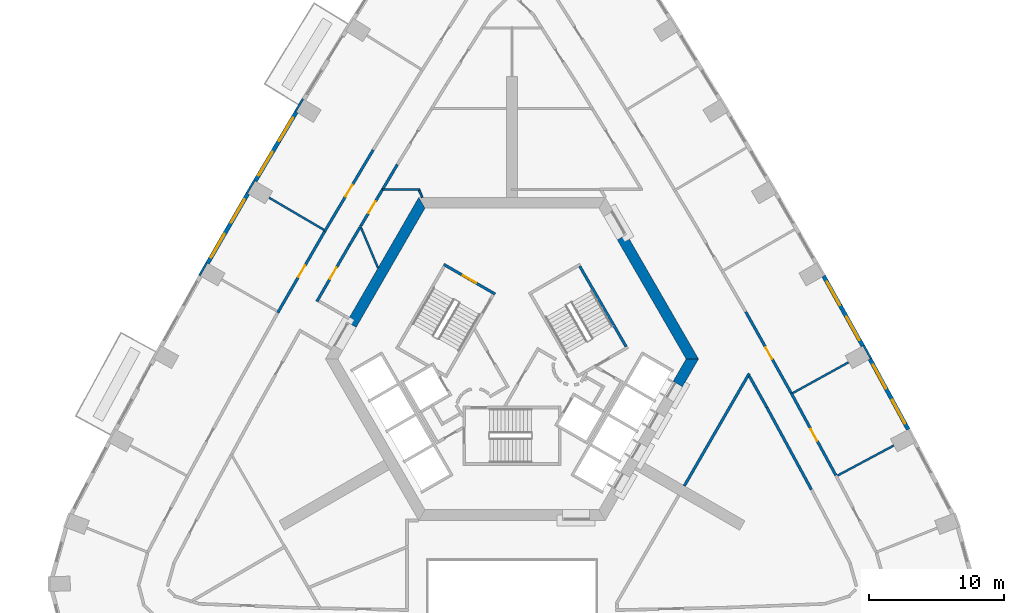
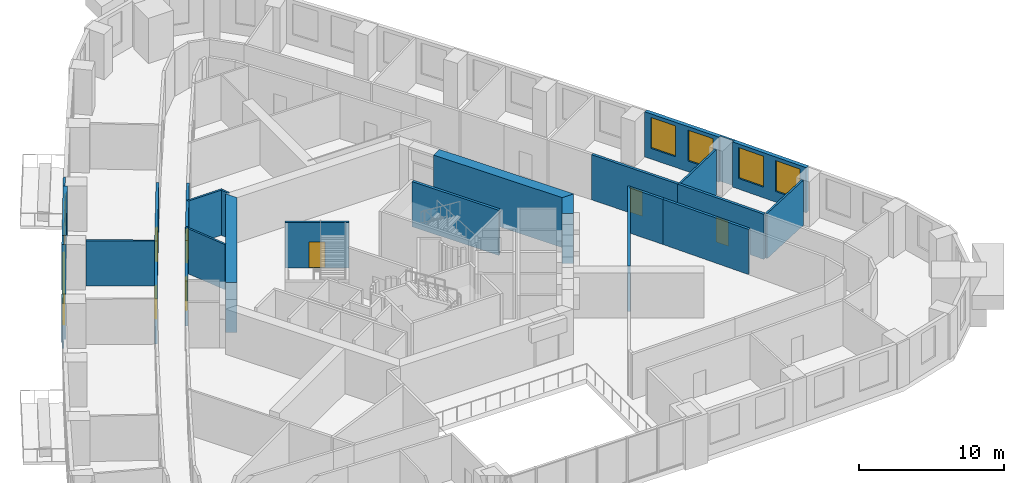
# One storey, part 8 of 14: 30 walls, 8 windows, 7 doors, 15 openings.
"""IFC4 building model written with IfcOpenShell, lengths in metres."""

import ifcopenshell
import ifcopenshell.guid

model = None  # the IFC model being written
_history = None  # IfcOwnerHistory: only IFC2X3 demands one
_inside = {}  # id of a spatial element -> (the spatial element, [elements in it])
_under = {}  # id of a project, library or spatial element -> (it, [spatial elements below it])
_declared = {}  # id of a project -> (the project, [libraries it declares])
_typed = {}  # id of a type object -> (the type object, [elements of that type])
_made_of = {}  # id of a material, layer set ... -> (it, [elements and type objects made of it])


def new_model(schema):
    """Start an empty IFC model of exactly this schema.

    Asked for "IFC4X3", IfcOpenShell would pick the latest addendum, in which some entities
    have other attributes; the version numbers below select the first issue.
    IFC2X3 requires an IfcOwnerHistory on every rooted entity: one is made here for all.
    """
    global model, _history
    if schema == "IFC4X3":
        model = ifcopenshell.file(schema_version=(4, 3, 0, 0))
    else:
        model = ifcopenshell.file(schema=schema)
    _inside.clear()
    _under.clear()
    _declared.clear()
    _typed.clear()
    _made_of.clear()
    _history = None
    if model.schema == "IFC2X3":
        org = make("IfcOrganization", Name="unknown")
        user = make(
            "IfcPersonAndOrganization",
            ThePerson=make("IfcPerson", FamilyName="unknown"),
            TheOrganization=org,
        )
        app = make(
            "IfcApplication",
            ApplicationDeveloper=org,
            Version="unknown",
            ApplicationFullName="unknown",
            ApplicationIdentifier="unknown",
        )
        _history = make(
            "IfcOwnerHistory",
            OwningUser=user,
            OwningApplication=app,
            ChangeAction="ADDED",
            CreationDate=0,
        )
    return model


def make(cls, **values):
    """One entity of the class cls with the attributes given. An attribute that is None is left unset."""
    return model.create_entity(
        cls, **{name: value for name, value in values.items() if value is not None}
    )


def rooted(cls, **values):
    """An entity with a GlobalId (a new one), such as an element, a storey or a relation."""
    return make(cls, GlobalId=ifcopenshell.guid.new(), OwnerHistory=_history, **values)


def si_unit(unit_type, name, prefix=None):
    """IfcSIUnit, for example si_unit("LENGTHUNIT", "METRE", prefix="MILLI")."""
    return make("IfcSIUnit", UnitType=unit_type, Prefix=prefix, Name=name)


def assignment(units):
    """IfcUnitAssignment: the units of a project."""
    return None if units is None else make("IfcUnitAssignment", Units=units)


def point(xyz):
    """IfcCartesianPoint."""
    return None if xyz is None else make("IfcCartesianPoint", Coordinates=xyz)


def direction(xyz):
    """IfcDirection."""
    return None if xyz is None else make("IfcDirection", DirectionRatios=xyz)


def frame(location, z_axis=None, x_axis=None):
    """IfcAxis2Placement3D, a coordinate frame: its origin and axes. An axis left out is left unset."""
    return make(
        "IfcAxis2Placement3D",
        Location=point(location),
        Axis=direction(z_axis),
        RefDirection=direction(x_axis),
    )


def frame_2d(location, x_axis=None):
    """IfcAxis2Placement2D, a coordinate frame in the plane: its origin and x axis."""
    return make(
        "IfcAxis2Placement2D", Location=point(location), RefDirection=direction(x_axis)
    )


def origin():
    """The frame at (0, 0, 0) with its axes left unset."""
    return frame((0.0, 0.0, 0.0))


def place(relative_to, where):
    """IfcLocalPlacement: puts the frame where relative to a parent placement (None: the world)."""
    return make(
        "IfcLocalPlacement", PlacementRelTo=relative_to, RelativePlacement=where
    )


def context(
    kind, dimensions, precision=None, world=None, true_north=None, identifier=None
):
    """IfcGeometricRepresentationContext, for example the 3D "Model" context."""
    return make(
        "IfcGeometricRepresentationContext",
        ContextIdentifier=identifier,
        ContextType=kind,
        CoordinateSpaceDimension=dimensions,
        Precision=precision,
        WorldCoordinateSystem=world,
        TrueNorth=true_north,
    )


def subcontext(parent, identifier, kind, view, scale=None):
    """IfcGeometricRepresentationSubContext, for example "Body" below "Model"."""
    return make(
        "IfcGeometricRepresentationSubContext",
        ContextIdentifier=identifier,
        ContextType=kind,
        ParentContext=parent,
        TargetScale=scale,
        TargetView=view,
    )


def project(units=None, contexts=None):
    """IfcProject with its units and contexts."""
    return rooted(
        "IfcProject",
        Name="project",
        RepresentationContexts=contexts,
        UnitsInContext=assignment(units),
    )


def spatial(cls, under=None, at=None, **own):
    """A site, building, storey or space (cls), placed at a placement, below another one or the project."""
    s = rooted(cls, ObjectPlacement=at, **own)
    if under is not None:
        _under.setdefault(under.id(), (under, []))[1].append(s)
    return s


def polyline(points):
    """IfcPolyline through the points."""
    return make("IfcPolyline", Points=[point(p) for p in points])


def profile(cls, at=None, kind="AREA", **sizes):
    """A parametric profile (cls). Its sizes go by their IFC names, for example OverallWidth=200.0."""
    return make(cls, ProfileType=kind, Position=at, **sizes)


def rectangle(**sizes):
    """IfcRectangleProfileDef."""
    return profile("IfcRectangleProfileDef", **sizes)


def outline(outer, holes=None, kind="AREA"):
    """IfcArbitraryClosedProfileDef: a profile drawn as a closed curve; with holes, ...WithVoids."""
    if holes is None:
        return make("IfcArbitraryClosedProfileDef", ProfileType=kind, OuterCurve=outer)
    return make(
        "IfcArbitraryProfileDefWithVoids",
        ProfileType=kind,
        OuterCurve=outer,
        InnerCurves=holes,
    )


def extrude(swept, where, along, depth):
    """IfcExtrudedAreaSolid: the profile swept, set in the frame where, extruded along a direction by depth."""
    return make(
        "IfcExtrudedAreaSolid",
        SweptArea=swept,
        Position=where,
        ExtrudedDirection=direction(along),
        Depth=depth,
    )


def shape(context_of_items, identifier, shape_type, items):
    """IfcShapeRepresentation: the items that make up one representation, for example the "Body"."""
    return make(
        "IfcShapeRepresentation",
        ContextOfItems=context_of_items,
        RepresentationIdentifier=identifier,
        RepresentationType=shape_type,
        Items=items,
    )


def material(Name=None, Category=None):
    """IfcMaterial."""
    return make("IfcMaterial", Name=Name, Category=Category)


def layer(
    of_material, thickness, ventilated=None, Name=None, Category=None, Priority=None
):
    """IfcMaterialLayer: one layer of a wall or slab, of a material (None: an air gap)."""
    return make(
        "IfcMaterialLayer",
        Material=of_material,
        LayerThickness=thickness,
        IsVentilated=ventilated,
        Name=Name,
        Category=Category,
        Priority=Priority,
    )


def layer_set(layers, Name=None):
    """IfcMaterialLayerSet."""
    return make("IfcMaterialLayerSet", MaterialLayers=layers, LayerSetName=Name)


def made_of(thing, what):
    """Note that an element or type object is made of a material, layer set ...; save() writes the relation."""
    if what is not None:
        _made_of.setdefault(what.id(), (what, []))[1].append(thing)
    return thing


def type_object(cls, material=None, **own):
    """A type object (cls), such as IfcWallType, which elements share."""
    return made_of(rooted(cls, **own), material)


def element(
    cls,
    number,
    at=None,
    inside=None,
    cuts=None,
    type_object=None,
    material=None,
    context=None,
    identifier="Body",
    shape_type=None,
    held_by="IfcProductDefinitionShape",
    body=None,
    shapes=None,
    **own,
):
    """One element of the class cls, such as IfcWall. Its Tag is "e" and its number.

    at: its placement. inside: the storey or other place that contains it. cuts: it is an
    opening in that element (IfcRelVoidsElement). A single representation is given by context,
    identifier, shape_type and body (its items); several are given by shapes. held_by: the class
    of the entity that holds the representations. save() writes the other relations.
    """
    e = rooted(cls, Tag="e%d" % number, ObjectPlacement=at, **own)
    if body is not None:
        shapes = [shape(context, identifier, shape_type, body)]
    if shapes is not None:
        e.Representation = make(held_by, Representations=shapes)
    if inside is not None:
        _inside.setdefault(inside.id(), (inside, []))[1].append(e)
    if cuts is not None:
        rooted(
            "IfcRelVoidsElement", RelatingBuildingElement=cuts, RelatedOpeningElement=e
        )
    if type_object is not None:
        _typed.setdefault(type_object.id(), (type_object, []))[1].append(e)
    return made_of(e, material)


def fill(opening, filler):
    """IfcRelFillsElement: the door or window that sits in an opening."""
    return rooted(
        "IfcRelFillsElement",
        RelatingOpeningElement=opening,
        RelatedBuildingElement=filler,
    )


def aggregate(whole, parts):
    """IfcRelAggregates: a whole, such as a stair, and the parts it consists of."""
    return rooted("IfcRelAggregates", RelatingObject=whole, RelatedObjects=parts)


def save(model, path):
    """Write the relations noted so far, then the file.

    IfcRelAggregates (storeys below a building ...), IfcRelContainedInSpatialStructure (elements
    in a storey), IfcRelDefinesByType, IfcRelAssociatesMaterial and IfcRelDeclares: one each for
    every whole, place, type object, material and project.
    """
    for whole, parts in _under.values():
        aggregate(whole, parts)
    for where, things in _inside.values():
        rooted(
            "IfcRelContainedInSpatialStructure",
            RelatedElements=things,
            RelatingStructure=where,
        )
    for kind, things in _typed.values():
        rooted("IfcRelDefinesByType", RelatedObjects=things, RelatingType=kind)
    for what, things in _made_of.values():
        rooted("IfcRelAssociatesMaterial", RelatedObjects=things, RelatingMaterial=what)
    for by, libraries in _declared.values():
        rooted("IfcRelDeclares", RelatingContext=by, RelatedDefinitions=libraries)
    model.write(path)


model = new_model("IFC4")

# Units and contexts
model_context = context("Model", 3, precision=1e-05, world=origin(), true_north=direction((0.0, 1.0)))
body_context = subcontext(model_context, "Body", "Model", "MODEL_VIEW")
ifc_project = project(units=[si_unit("LENGTHUNIT", "METRE"), si_unit("AREAUNIT", "SQUARE_METRE"), si_unit("VOLUMEUNIT", "CUBIC_METRE"), si_unit("PLANEANGLEUNIT", "RADIAN"), si_unit("MASSUNIT", "GRAM", prefix="KILO")], contexts=[model_context])

# Site, building, storey
site_placement = place(None, origin())
site = spatial("IfcSite", under=ifc_project, at=site_placement, CompositionType="ELEMENT")
building_placement = place(site_placement, origin())
building = spatial("IfcBuilding", under=site, at=building_placement, Name="Entoto Arch Interchange Tower", CompositionType="ELEMENT")
storey_placement = place(building_placement, frame((0.0, 0.0, 159.199951171875)))
storey = spatial("IfcBuildingStorey", under=building, at=storey_placement, Name="L35", CompositionType="ELEMENT", Elevation=159.199951171875)

# Walls
ifc_material_1 = material(Name="Concrete C50/60", Category="concrete")
ifc_layer_1 = layer(ifc_material_1, 0.800048828125)
ifc_layer_set_1 = layer_set([ifc_layer_1], Name="Concrete C50/60")
wall_type_1 = type_object("IfcWallType", Name="Core wall 800 C50/60", PredefinedType="SHEAR", material=ifc_layer_set_1)
wall_1_placement = place(storey_placement, frame((0.0, 0.0, -0.39990234375)))
element("IfcWall", 1, at=wall_1_placement, inside=storey, type_object=wall_type_1, Name="Core wall NE L35", PredefinedType="SHEAR", context=body_context, shape_type="SweptSolid", body=[
    extrude(outline(polyline([(8.51708984375, 11.748046875), (7.823974609375, 11.347900390625), (12.93310546875, 2.5), (13.85595703125, 2.5), (8.51708984375, 11.748046875)])), origin(), (0.0, 0.0, 1.0), 4.199951171875),
])
wall_2_placement = place(storey_placement, frame((0.0, 0.0, -0.39990234375)))
element("IfcWall", 2, at=wall_2_placement, inside=storey, type_object=wall_type_1, Name="Core wall NW L35", PredefinedType="SHEAR", context=body_context, shape_type="SweptSolid", body=[
    extrude(outline(polyline([(-12.26708984375, 5.251953125), (-11.574951171875, 4.85205078125), (-6.466064453125, 13.699951171875), (-6.927978515625, 14.5), (-12.26708984375, 5.251953125)])), origin(), (0.0, 0.0, 1.0), 4.199951171875),
])
wall_3_placement = place(storey_placement, frame((0.0, 0.0, -0.39990234375)))
element("IfcWall", 3, at=wall_3_placement, inside=storey, type_object=wall_type_1, Name="Core wall SE L35", PredefinedType="SHEAR", context=body_context, shape_type="SweptSolid", body=[
    extrude(outline(polyline([(11.97412109375, 0.840087890625), (12.6669921875, 0.43994140625), (13.85595703125, 2.5), (12.93310546875, 2.5), (11.97412109375, 0.840087890625)])), origin(), (0.0, 0.0, 1.0), 4.199951171875),
])
ifc_material_2 = material(Name="Gypsum board partition on steel studs", Category="steel")
ifc_layer_2 = layer(ifc_material_2, 0.14990234375)
ifc_layer_set_2 = layer_set([ifc_layer_2], Name="Gypsum board partition on steel studs")
wall_type_2 = type_object("IfcWallType", Name="PARTITION 150", PredefinedType="PARTITIONING", material=ifc_layer_set_2)
wall_4_placement = place(storey_placement, frame((-9.951904296875, 9.261962890625, 0.0), z_axis=(0.0, 0.0, 1.0), x_axis=(-0.38905491579, 0.921214563769, 0.0)))
element("IfcWall", 4, at=wall_4_placement, inside=storey, type_object=wall_type_2, Name="wall:L35:p085", PredefinedType="PARTITIONING", context=body_context, shape_type="SweptSolid", body=[
    extrude(rectangle(XDim=3.444580078125, YDim=0.14990234375, at=frame_2d((1.72216796875, 0.0))), origin(), (0.0, 0.0, 1.0), 3.800048828125),
])
wall_5_placement = place(storey_placement, frame((-6.845947265625, 15.10009765625, 0.0), z_axis=(0.0, 0.0, 1.0), x_axis=(-1.0, 0.0, 0.0)))
element("IfcWall", 5, at=wall_5_placement, inside=storey, type_object=wall_type_2, Name="wall:L35:p086", PredefinedType="PARTITIONING", context=body_context, shape_type="SweptSolid", body=[
    extrude(rectangle(XDim=2.76611328125, YDim=0.14990234375, at=frame_2d((1.383056640625, 0.0))), origin(), (0.0, 0.0, 1.0), 3.800048828125),
])
wall_6_placement = place(storey_placement, frame((-6.66796875, 14.5, 0.0), z_axis=(0.0, 0.0, 1.0), x_axis=(-0.388852201086, 0.921300149631, 0.0)))
element("IfcWall", 6, at=wall_6_placement, inside=storey, type_object=wall_type_2, Name="wall:L35:p087", PredefinedType="PARTITIONING", context=body_context, shape_type="SweptSolid", body=[
    extrude(rectangle(XDim=0.576416015625, YDim=0.14990234375, at=frame_2d((0.2880859375, 0.0))), origin(), (0.0, 0.0, 1.0), 3.800048828125),
])
wall_7_placement = place(storey_placement, frame((24.181884765625, -6.162109375, 0.0), z_axis=(0.0, 0.0, 1.0), x_axis=(0.88214427755, 0.470979270866, 0.0)))
element("IfcWall", 7, at=wall_7_placement, inside=storey, type_object=wall_type_2, Name="wall:L35:p126", PredefinedType="PARTITIONING", context=body_context, shape_type="SweptSolid", body=[
    extrude(rectangle(XDim=4.730712890625, YDim=0.14990234375, at=frame_2d((2.365234375, 0.0))), origin(), (0.0, 0.0, 1.0), 3.800048828125),
])
wall_8_placement = place(storey_placement, frame((20.85693359375, -0.032958984375, 0.0), z_axis=(0.0, 0.0, 1.0), x_axis=(0.875786153174, 0.482699299677, 0.0)))
element("IfcWall", 8, at=wall_8_placement, inside=storey, type_object=wall_type_2, Name="wall:L35:p127", PredefinedType="PARTITIONING", context=body_context, shape_type="SweptSolid", body=[
    extrude(rectangle(XDim=4.7294921875, YDim=0.14990234375, at=frame_2d((2.36474609375, 0.0))), origin(), (0.0, 0.0, 1.0), 3.800048828125),
])
wall_9_placement = place(storey_placement, frame((-13.965087890625, 12.087890625, 0.0), z_axis=(0.0, 0.0, 1.0), x_axis=(-0.862617990649, 0.50585591052, 0.0)))
element("IfcWall", 9, at=wall_9_placement, inside=storey, type_object=wall_type_2, Name="wall:L35:p133", PredefinedType="PARTITIONING", context=body_context, shape_type="SweptSolid", body=[
    extrude(rectangle(XDim=4.730712890625, YDim=0.14990234375, at=frame_2d((2.365234375, 0.0))), origin(), (0.0, 0.0, 1.0), 3.800048828125),
])

# Wall, opening, door
ifc_layer_3 = layer(ifc_material_2, 0.199951171875)
ifc_layer_set_3 = layer_set([ifc_layer_3], Name="Gypsum board partition on steel studs")
wall_type_3 = type_object("IfcWallType", Name="PARTITION 200", PredefinedType="PARTITIONING", material=ifc_layer_set_3)
wall_10_placement = place(storey_placement, frame((-9.573974609375, 15.1640625, 0.0), z_axis=(0.0, 0.0, 1.0), x_axis=(-0.511482522046, -0.859293680671, 0.0)))
wall_10 = element("IfcWall", 10, at=wall_10_placement, inside=storey, type_object=wall_type_3, Name="wall:L35:p001", PredefinedType="PARTITIONING", context=body_context, shape_type="SweptSolid", body=[
    extrude(rectangle(XDim=3.20849609375, YDim=0.199951171875, at=frame_2d((1.604248046875, 0.0))), origin(), (0.0, 0.0, 1.0), 3.800048828125),
])
opening_1_placement = place(wall_10_placement, frame((1.10400390625, 0.0, 0.0)))
opening_1 = element("IfcOpeningElement", 11, at=opening_1_placement, cuts=wall_10, Name="Opening L35-D28", PredefinedType="OPENING", context=body_context, shape_type="SweptSolid", body=[
    extrude(rectangle(XDim=1.0, YDim=2.10009765625, at=frame_2d((0.5, 1.050048828125))), frame((0.0, 0.10986328125, 0.0), z_axis=(0.0, -1.0, 0.0), x_axis=(1.0, 0.0, 0.0)), (0.0, 0.0, 1.0), 0.219970703125),
])
ifc_material_3 = material(Name="Timber door leaf in Steel S235 frame", Category="steel")
door_type_1 = type_object("IfcDoorType", Name="DOOR DS-10 1000x2100", OperationType="SINGLE_SWING_LEFT", PredefinedType="DOOR", material=ifc_material_3)
door_1_placement = place(opening_1_placement, origin())
door_1 = element("IfcDoor", 12, at=door_1_placement, inside=storey, type_object=door_type_1, Name="door:L35:28", OperationType="SINGLE_SWING_RIGHT", OverallHeight=2.10009765625, OverallWidth=1.0, PredefinedType="DOOR", context=body_context, shape_type="SweptSolid", body=[
    extrude(rectangle(XDim=1.0, YDim=2.10009765625, at=frame_2d((0.5, 1.050048828125))), frame((0.0, 0.02490234375, 0.0), z_axis=(0.0, -1.0, 0.0), x_axis=(1.0, 0.0, 0.0)), (0.0, 0.0, 1.0), 0.050048828125),
])
fill(opening_1, door_1)

# Wall
wall_11_placement = place(storey_placement, frame((-11.291015625, 12.278076171875, 0.0), z_axis=(0.0, 0.0, 1.0), x_axis=(-0.511628198266, -0.859206952217, 0.0)))
element("IfcWall", 13, at=wall_11_placement, inside=storey, type_object=wall_type_3, Name="wall:L35:p002", PredefinedType="PARTITIONING", context=body_context, shape_type="SweptSolid", body=[
    extrude(rectangle(XDim=1.5166015625, YDim=0.199951171875, at=frame_2d((0.75830078125, 0.0))), origin(), (0.0, 0.0, 1.0), 3.800048828125),
])

# Wall, opening, door
wall_12_placement = place(storey_placement, frame((-12.06689453125, 10.97509765625, 0.0), z_axis=(0.0, 0.0, 1.0), x_axis=(-0.500215616273, -0.865900881878, 0.0)))
wall_12 = element("IfcWall", 14, at=wall_12_placement, inside=storey, type_object=wall_type_3, Name="wall:L35:p003", PredefinedType="PARTITIONING", context=body_context, shape_type="SweptSolid", body=[
    extrude(rectangle(XDim=4.856201171875, YDim=0.199951171875, at=frame_2d((2.42822265625, 0.0))), origin(), (0.0, 0.0, 1.0), 3.800048828125),
])
opening_2_placement = place(wall_12_placement, frame((1.927978515625, 0.0, 0.0)))
opening_2 = element("IfcOpeningElement", 15, at=opening_2_placement, cuts=wall_12, Name="Opening L35-D29", PredefinedType="OPENING", context=body_context, shape_type="SweptSolid", body=[
    extrude(rectangle(XDim=1.0, YDim=2.10009765625, at=frame_2d((0.5, 1.050048828125))), frame((0.0, 0.10986328125, 0.0), z_axis=(0.0, -1.0, 0.0), x_axis=(1.0, 0.0, 0.0)), (0.0, 0.0, 1.0), 0.219970703125),
])
door_2_placement = place(opening_2_placement, origin())
door_2 = element("IfcDoor", 16, at=door_2_placement, inside=storey, type_object=door_type_1, Name="door:L35:29", OperationType="SINGLE_SWING_LEFT", OverallHeight=2.10009765625, OverallWidth=1.0, PredefinedType="DOOR", context=body_context, shape_type="SweptSolid", body=[
    extrude(rectangle(XDim=1.0, YDim=2.10009765625, at=frame_2d((0.5, 1.050048828125))), frame((0.0, 0.02490234375, 0.0), z_axis=(0.0, -1.0, 0.0), x_axis=(1.0, 0.0, 0.0)), (0.0, 0.0, 1.0), 0.050048828125),
])
fill(opening_2, door_2)

# Walls
wall_13_placement = place(storey_placement, frame((-8.51611328125, 16.94189453125, 0.0), z_axis=(0.0, 0.0, 1.0), x_axis=(-0.511351070319, -0.859371911854, 0.0)))
element("IfcWall", 17, at=wall_13_placement, inside=storey, type_object=wall_type_3, Name="wall:L35:p010", PredefinedType="PARTITIONING", context=body_context, shape_type="SweptSolid", body=[
    extrude(rectangle(XDim=2.06884765625, YDim=0.199951171875, at=frame_2d((1.034423828125, 0.0))), origin(), (0.0, 0.0, 1.0), 3.800048828125),
])
wall_14_placement = place(storey_placement, frame((22.240966796875, -7.197998046875, 0.0), z_axis=(0.0, 0.0, 1.0), x_axis=(-0.476865268044, 0.878976402489, 0.0)))
element("IfcWall", 18, at=wall_14_placement, inside=storey, type_object=wall_type_3, Name="wall:L35:p026", PredefinedType="PARTITIONING", context=body_context, shape_type="SweptSolid", body=[
    extrude(rectangle(XDim=6.943359375, YDim=0.199951171875, at=frame_2d((3.4716796875, 0.0))), origin(), (0.0, 0.0, 1.0), 3.800048828125),
])
wall_15_placement = place(storey_placement, frame((18.929931640625, -1.094970703125, 0.0), z_axis=(0.0, 0.0, 1.0), x_axis=(-0.488268004118, 0.872693735599, 0.0)))
element("IfcWall", 19, at=wall_15_placement, inside=storey, type_object=wall_type_3, Name="wall:L35:p027", PredefinedType="PARTITIONING", context=body_context, shape_type="SweptSolid", body=[
    extrude(rectangle(XDim=2.6826171875, YDim=0.199951171875, at=frame_2d((1.34130859375, 0.0))), origin(), (0.0, 0.0, 1.0), 3.800048828125),
])

# Wall, opening, door
wall_16_placement = place(storey_placement, frame((20.73291015625, -0.01611328125, 0.0), z_axis=(0.0, 0.0, 1.0), x_axis=(0.477104227839, -0.87884671916, 0.0)))
wall_16 = element("IfcWall", 20, at=wall_16_placement, inside=storey, type_object=wall_type_3, Name="wall:L35:p047", PredefinedType="PARTITIONING", context=body_context, shape_type="SweptSolid", body=[
    extrude(rectangle(XDim=6.9716796875, YDim=0.199951171875, at=frame_2d((3.48583984375, 0.0))), origin(), (0.0, 0.0, 1.0), 3.800048828125),
])
opening_3_placement = place(wall_16_placement, frame((3.06103515625, 0.0, 0.0)))
opening_3 = element("IfcOpeningElement", 21, at=opening_3_placement, cuts=wall_16, Name="Opening L35-D05", PredefinedType="OPENING", context=body_context, shape_type="SweptSolid", body=[
    extrude(rectangle(XDim=1.0, YDim=2.10009765625, at=frame_2d((0.5, 1.050048828125))), frame((0.0, 0.10986328125, 0.0), z_axis=(0.0, -1.0, 0.0), x_axis=(1.0, 0.0, 0.0)), (0.0, 0.0, 1.0), 0.219970703125),
])
door_3_placement = place(opening_3_placement, origin())
door_3 = element("IfcDoor", 22, at=door_3_placement, inside=storey, type_object=door_type_1, Name="door:L35:05", OperationType="SINGLE_SWING_LEFT", OverallHeight=2.10009765625, OverallWidth=1.0, PredefinedType="DOOR", context=body_context, shape_type="SweptSolid", body=[
    extrude(rectangle(XDim=1.0, YDim=2.10009765625, at=frame_2d((0.5, 1.050048828125))), frame((0.0, 0.02490234375, 0.0), z_axis=(0.0, -1.0, 0.0), x_axis=(1.0, 0.0, 0.0)), (0.0, 0.0, 1.0), 0.050048828125),
])
fill(opening_3, door_3)

wall_17_placement = place(storey_placement, frame((17.364013671875, 6.0009765625, 0.0), z_axis=(0.0, 0.0, 1.0), x_axis=(0.488528981592, -0.872547668695, 0.0)))
wall_17 = element("IfcWall", 23, at=wall_17_placement, inside=storey, type_object=wall_type_3, Name="wall:L35:p049", PredefinedType="PARTITIONING", context=body_context, shape_type="SweptSolid", body=[
    extrude(rectangle(XDim=6.89599609375, YDim=0.199951171875, at=frame_2d((3.447998046875, 0.0))), origin(), (0.0, 0.0, 1.0), 3.800048828125),
])
opening_4_placement = place(wall_17_placement, frame((3.02294921875, 0.0, 0.0)))
opening_4 = element("IfcOpeningElement", 24, at=opening_4_placement, cuts=wall_17, Name="Opening L35-D06", PredefinedType="OPENING", context=body_context, shape_type="SweptSolid", body=[
    extrude(rectangle(XDim=1.0, YDim=2.10009765625, at=frame_2d((0.5, 1.050048828125))), frame((0.0, 0.10986328125, 0.0), z_axis=(0.0, -1.0, 0.0), x_axis=(1.0, 0.0, 0.0)), (0.0, 0.0, 1.0), 0.219970703125),
])
door_4_placement = place(opening_4_placement, origin())
door_4 = element("IfcDoor", 25, at=door_4_placement, inside=storey, type_object=door_type_1, Name="door:L35:06", OperationType="SINGLE_SWING_LEFT", OverallHeight=2.10009765625, OverallWidth=1.0, PredefinedType="DOOR", context=body_context, shape_type="SweptSolid", body=[
    extrude(rectangle(XDim=1.0, YDim=2.10009765625, at=frame_2d((0.5, 1.050048828125))), frame((0.0, 0.02490234375, 0.0), z_axis=(0.0, -1.0, 0.0), x_axis=(1.0, 0.0, 0.0)), (0.0, 0.0, 1.0), 0.050048828125),
])
fill(opening_4, door_4)

wall_18_placement = place(storey_placement, frame((-13.9169921875, 11.972900390625, 0.0), z_axis=(0.0, 0.0, 1.0), x_axis=(0.511455840413, 0.859309561978, 0.0)))
wall_18 = element("IfcWall", 26, at=wall_18_placement, inside=storey, type_object=wall_type_3, Name="wall:L35:p061", PredefinedType="PARTITIONING", context=body_context, shape_type="SweptSolid", body=[
    extrude(rectangle(XDim=7.046630859375, YDim=0.199951171875, at=frame_2d((3.5234375, 0.0))), origin(), (0.0, 0.0, 1.0), 3.800048828125),
])
opening_5_placement = place(wall_18_placement, frame((3.02294921875, 0.0, 0.0)))
opening_5 = element("IfcOpeningElement", 27, at=opening_5_placement, cuts=wall_18, Name="Opening L35-D11", PredefinedType="OPENING", context=body_context, shape_type="SweptSolid", body=[
    extrude(rectangle(XDim=1.0, YDim=2.10009765625, at=frame_2d((0.5, 1.050048828125))), frame((0.0, 0.10986328125, 0.0), z_axis=(0.0, -1.0, 0.0), x_axis=(1.0, 0.0, 0.0)), (0.0, 0.0, 1.0), 0.219970703125),
])
door_5_placement = place(opening_5_placement, origin())
door_5 = element("IfcDoor", 28, at=door_5_placement, inside=storey, type_object=door_type_1, Name="door:L35:11", OperationType="SINGLE_SWING_LEFT", OverallHeight=2.10009765625, OverallWidth=1.0, PredefinedType="DOOR", context=body_context, shape_type="SweptSolid", body=[
    extrude(rectangle(XDim=1.0, YDim=2.10009765625, at=frame_2d((0.5, 1.050048828125))), frame((0.0, 0.02490234375, 0.0), z_axis=(0.0, -1.0, 0.0), x_axis=(1.0, 0.0, 0.0)), (0.0, 0.0, 1.0), 0.050048828125),
])
fill(opening_5, door_5)

wall_19_placement = place(storey_placement, frame((-17.402099609375, 5.93603515625, 0.0), z_axis=(0.0, 0.0, 1.0), x_axis=(0.500135788517, 0.865946992052, 0.0)))
wall_19 = element("IfcWall", 29, at=wall_19_placement, inside=storey, type_object=wall_type_3, Name="wall:L35:p063", PredefinedType="PARTITIONING", context=body_context, shape_type="SweptSolid", body=[
    extrude(rectangle(XDim=6.97021484375, YDim=0.199951171875, at=frame_2d((3.485107421875, 0.0))), origin(), (0.0, 0.0, 1.0), 3.800048828125),
])
opening_6_placement = place(wall_19_placement, frame((3.06005859375, 0.0, 0.0)))
opening_6 = element("IfcOpeningElement", 30, at=opening_6_placement, cuts=wall_19, Name="Opening L35-D12", PredefinedType="OPENING", context=body_context, shape_type="SweptSolid", body=[
    extrude(rectangle(XDim=1.0, YDim=2.10009765625, at=frame_2d((0.5, 1.050048828125))), frame((0.0, 0.10986328125, 0.0), z_axis=(0.0, -1.0, 0.0), x_axis=(1.0, 0.0, 0.0)), (0.0, 0.0, 1.0), 0.219970703125),
])
door_6_placement = place(opening_6_placement, origin())
door_6 = element("IfcDoor", 31, at=door_6_placement, inside=storey, type_object=door_type_1, Name="door:L35:12", OperationType="SINGLE_SWING_LEFT", OverallHeight=2.10009765625, OverallWidth=1.0, PredefinedType="DOOR", context=body_context, shape_type="SweptSolid", body=[
    extrude(rectangle(XDim=1.0, YDim=2.10009765625, at=frame_2d((0.5, 1.050048828125))), frame((0.0, 0.02490234375, 0.0), z_axis=(0.0, -1.0, 0.0), x_axis=(1.0, 0.0, 0.0)), (0.0, 0.0, 1.0), 0.050048828125),
])
fill(opening_6, door_6)

# Walls
wall_20_placement = place(storey_placement, frame((17.62109375, 1.419921875, 0.0), z_axis=(0.0, 0.0, 1.0), x_axis=(-0.499987708133, -0.866032500381, 0.0)))
element("IfcWall", 32, at=wall_20_placement, inside=storey, type_object=wall_type_3, Name="wall:L35:p110", PredefinedType="PARTITIONING", context=body_context, shape_type="SweptSolid", body=[
    extrude(rectangle(XDim=9.640380859375, YDim=0.199951171875, at=frame_2d((4.8203125, 0.0))), origin(), (0.0, 0.0, 1.0), 3.800048828125),
])
ifc_material_4 = material(Name="Concrete C40/50", Category="concrete")
ifc_layer_4 = layer(ifc_material_4, 0.199951171875)
ifc_layer_set_4 = layer_set([ifc_layer_4], Name="Concrete C40/50")
wall_type_4 = type_object("IfcWallType", Name="STAIR ENCLOSURE WALL 200", PredefinedType="STANDARD", material=ifc_layer_set_4)
wall_21_placement = place(storey_placement, frame((8.47998046875, 3.412109375, 0.0), z_axis=(0.0, 0.0, 1.0), x_axis=(-0.499978703459, 0.866037698999, 0.0)))
element("IfcWall", 33, at=wall_21_placement, inside=storey, type_object=wall_type_4, Name="Stair wall ST-NE back", PredefinedType="STANDARD", context=body_context, shape_type="SweptSolid", body=[
    extrude(rectangle(XDim=6.900146484375, YDim=0.199951171875, at=frame_2d((3.4501953125, 0.0))), origin(), (0.0, 0.0, 1.0), 3.800048828125),
])

# Wall, opening, door
wall_22_placement = place(storey_placement, frame((-1.256103515625, 7.323974609375, 0.0), z_axis=(0.0, 0.0, 1.0), x_axis=(-0.866046073146, 0.499964197906, 0.0)))
wall_22 = element("IfcWall", 34, at=wall_22_placement, inside=storey, type_object=wall_type_4, Name="Stair wall ST-NW near", PredefinedType="STANDARD", context=body_context, shape_type="SweptSolid", body=[
    extrude(rectangle(XDim=4.400146484375, YDim=0.199951171875, at=frame_2d((2.2001953125, 0.0))), origin(), (0.0, 0.0, 1.0), 3.800048828125),
])
opening_7_placement = place(wall_22_placement, frame((1.64990234375, 0.0, 0.0)))
opening_7 = element("IfcOpeningElement", 35, at=opening_7_placement, cuts=wall_22, Name="Opening SD-ST-NW-L35-E", PredefinedType="OPENING", context=body_context, shape_type="SweptSolid", body=[
    extrude(rectangle(XDim=1.10009765625, YDim=2.199951171875, at=frame_2d((0.550048828125, 1.10009765625))), frame((0.0, 0.10986328125, 0.0), z_axis=(0.0, -1.0, 0.0), x_axis=(1.0, 0.0, 0.0)), (0.0, 0.0, 1.0), 0.219970703125),
])
ifc_material_5 = material(Name="Steel S235", Category="steel")
door_type_2 = type_object("IfcDoorType", Name="STAIR DOOR SD1 1100x2200", OperationType="SINGLE_SWING_LEFT", PredefinedType="DOOR", material=ifc_material_5)
door_7_placement = place(opening_7_placement, origin())
door_7 = element("IfcDoor", 36, at=door_7_placement, inside=storey, type_object=door_type_2, Name="Stair door ST-NW L35 end", OperationType="SINGLE_SWING_LEFT", OverallHeight=2.199951171875, OverallWidth=1.10009765625, PredefinedType="DOOR", context=body_context, shape_type="SweptSolid", body=[
    extrude(rectangle(XDim=1.10009765625, YDim=2.199951171875, at=frame_2d((0.550048828125, 1.10009765625))), frame((0.0, 0.02490234375, 0.0), z_axis=(0.0, -1.0, 0.0), x_axis=(1.0, 0.0, 0.0)), (0.0, 0.0, 1.0), 0.050048828125),
])
fill(opening_7, door_7)

# Wall, openings, windows
ifc_material_6 = material(Name="Welded tuff (ignimbrite) cladding, warm buff", Category="masonry")
ifc_layer_5 = layer(ifc_material_6, 0.300048828125)
ifc_layer_set_5 = layer_set([ifc_layer_5], Name="Welded tuff (ignimbrite) cladding, warm buff")
wall_type_5 = type_object("IfcWallType", Name="STONE INFILL WALL 300", PredefinedType="STANDARD", material=ifc_layer_set_5)
wall_23_placement = place(storey_placement, frame((29.43408203125, -2.736083984375, 0.0), z_axis=(0.0, 0.0, 1.0), x_axis=(-0.476970695077, 0.878919197673, 0.0)))
wall_23 = element("IfcWall", 37, at=wall_23_placement, inside=storey, type_object=wall_type_5, Name="Facade wall NE-02 L35", PredefinedType="STANDARD", context=body_context, shape_type="SweptSolid", body=[
    extrude(rectangle(XDim=5.95849609375, YDim=0.300048828125, at=frame_2d((2.979248046875, 0.0))), origin(), (0.0, 0.0, 1.0), 3.800048828125),
])
opening_8_placement = place(wall_23_placement, frame((0.489990234375, 0.0, 0.89990234375)))
opening_8 = element("IfcOpeningElement", 38, at=opening_8_placement, cuts=wall_23, Name="Opening WO-C", PredefinedType="OPENING", context=body_context, shape_type="SweptSolid", body=[
    extrude(rectangle(XDim=2.0, YDim=2.60009765625, at=frame_2d((1.0, 1.300048828125))), frame((0.0, 0.16015625, 0.0), z_axis=(0.0, -1.0, 0.0), x_axis=(1.0, 0.0, 0.0)), (0.0, 0.0, 1.0), 0.320068359375),
])
opening_9_placement = place(wall_23_placement, frame((3.468994140625, 0.0, 0.89990234375)))
opening_9 = element("IfcOpeningElement", 39, at=opening_9_placement, cuts=wall_23, Name="Opening WO-C", PredefinedType="OPENING", context=body_context, shape_type="SweptSolid", body=[
    extrude(rectangle(XDim=2.0, YDim=2.60009765625, at=frame_2d((1.0, 1.300048828125))), frame((0.0, 0.16015625, 0.0), z_axis=(0.0, -1.0, 0.0), x_axis=(1.0, 0.0, 0.0)), (0.0, 0.0, 1.0), 0.320068359375),
])
ifc_material_7 = material(Name="Clear glass, low-e double glazed", Category="glass")
window_type = type_object("IfcWindowType", Name="WINDOW WO-C 2000x2600", PartitioningType="DOUBLE_PANEL_VERTICAL", PredefinedType="WINDOW", material=ifc_material_7)
window_1_placement = place(opening_8_placement, origin())
window_1 = element("IfcWindow", 40, at=window_1_placement, inside=storey, type_object=window_type, Name="Window WO-C NE-02 L35", OverallHeight=2.60009765625, OverallWidth=2.0, PartitioningType="SINGLE_PANEL", PredefinedType="WINDOW", context=body_context, shape_type="SweptSolid", body=[
    extrude(rectangle(XDim=2.0, YDim=2.60009765625, at=frame_2d((1.0, 1.300048828125))), frame((0.0, 0.030029296875, 0.0), z_axis=(0.0, -1.0, 0.0), x_axis=(1.0, 0.0, 0.0)), (0.0, 0.0, 1.0), 0.06005859375),
])
fill(opening_8, window_1)
window_2_placement = place(opening_9_placement, origin())
window_2 = element("IfcWindow", 41, at=window_2_placement, inside=storey, type_object=window_type, Name="Window WO-C NE-02 L35", OverallHeight=2.60009765625, OverallWidth=2.0, PartitioningType="SINGLE_PANEL", PredefinedType="WINDOW", context=body_context, shape_type="SweptSolid", body=[
    extrude(rectangle(XDim=2.0, YDim=2.60009765625, at=frame_2d((1.0, 1.300048828125))), frame((0.0, 0.030029296875, 0.0), z_axis=(0.0, -1.0, 0.0), x_axis=(1.0, 0.0, 0.0)), (0.0, 0.0, 1.0), 0.06005859375),
])
fill(opening_9, window_2)

wall_24_placement = place(storey_placement, frame((26.06201171875, 3.462890625, 0.0), z_axis=(0.0, 0.0, 1.0), x_axis=(-0.488354983501, 0.872645065356, 0.0)))
wall_24 = element("IfcWall", 42, at=wall_24_placement, inside=storey, type_object=wall_type_5, Name="Facade wall NE-03 L35", PredefinedType="STANDARD", context=body_context, shape_type="SweptSolid", body=[
    extrude(rectangle(XDim=5.95654296875, YDim=0.300048828125, at=frame_2d((2.978271484375, 0.0))), origin(), (0.0, 0.0, 1.0), 3.800048828125),
])
opening_10_placement = place(wall_24_placement, frame((0.489013671875, 0.0, 0.89990234375)))
opening_10 = element("IfcOpeningElement", 43, at=opening_10_placement, cuts=wall_24, Name="Opening WO-C", PredefinedType="OPENING", context=body_context, shape_type="SweptSolid", body=[
    extrude(rectangle(XDim=2.0, YDim=2.60009765625, at=frame_2d((1.0, 1.300048828125))), frame((0.0, 0.16015625, 0.0), z_axis=(0.0, -1.0, 0.0), x_axis=(1.0, 0.0, 0.0)), (0.0, 0.0, 1.0), 0.320068359375),
])
opening_11_placement = place(wall_24_placement, frame((3.467041015625, 0.0, 0.89990234375)))
opening_11 = element("IfcOpeningElement", 44, at=opening_11_placement, cuts=wall_24, Name="Opening WO-C", PredefinedType="OPENING", context=body_context, shape_type="SweptSolid", body=[
    extrude(rectangle(XDim=2.0, YDim=2.60009765625, at=frame_2d((1.0, 1.300048828125))), frame((0.0, 0.16015625, 0.0), z_axis=(0.0, -1.0, 0.0), x_axis=(1.0, 0.0, 0.0)), (0.0, 0.0, 1.0), 0.320068359375),
])
window_3_placement = place(opening_10_placement, origin())
window_3 = element("IfcWindow", 45, at=window_3_placement, inside=storey, type_object=window_type, Name="Window WO-C NE-03 L35", OverallHeight=2.60009765625, OverallWidth=2.0, PartitioningType="SINGLE_PANEL", PredefinedType="WINDOW", context=body_context, shape_type="SweptSolid", body=[
    extrude(rectangle(XDim=2.0, YDim=2.60009765625, at=frame_2d((1.0, 1.300048828125))), frame((0.0, 0.030029296875, 0.0), z_axis=(0.0, -1.0, 0.0), x_axis=(1.0, 0.0, 0.0)), (0.0, 0.0, 1.0), 0.06005859375),
])
fill(opening_10, window_3)
window_4_placement = place(opening_11_placement, origin())
window_4 = element("IfcWindow", 46, at=window_4_placement, inside=storey, type_object=window_type, Name="Window WO-C NE-03 L35", OverallHeight=2.60009765625, OverallWidth=2.0, PartitioningType="SINGLE_PANEL", PredefinedType="WINDOW", context=body_context, shape_type="SweptSolid", body=[
    extrude(rectangle(XDim=2.0, YDim=2.60009765625, at=frame_2d((1.0, 1.300048828125))), frame((0.0, 0.030029296875, 0.0), z_axis=(0.0, -1.0, 0.0), x_axis=(1.0, 0.0, 0.0)), (0.0, 0.0, 1.0), 0.06005859375),
])
fill(opening_11, window_4)

wall_25_placement = place(storey_placement, frame((-16.029052734375, 20.840087890625, 0.0), z_axis=(0.0, 0.0, 1.0), x_axis=(-0.511455040009, -0.859310038374, 0.0)))
wall_25 = element("IfcWall", 47, at=wall_25_placement, inside=storey, type_object=wall_type_5, Name="Facade wall NW-03 L35", PredefinedType="STANDARD", context=body_context, shape_type="SweptSolid", body=[
    extrude(rectangle(XDim=5.957275390625, YDim=0.300048828125, at=frame_2d((2.978515625, 0.0))), origin(), (0.0, 0.0, 1.0), 3.800048828125),
])
opening_12_placement = place(wall_25_placement, frame((0.489013671875, 0.0, 0.89990234375)))
opening_12 = element("IfcOpeningElement", 48, at=opening_12_placement, cuts=wall_25, Name="Opening WO-C", PredefinedType="OPENING", context=body_context, shape_type="SweptSolid", body=[
    extrude(rectangle(XDim=2.0, YDim=2.60009765625, at=frame_2d((1.0, 1.300048828125))), frame((0.0, 0.16015625, 0.0), z_axis=(0.0, -1.0, 0.0), x_axis=(1.0, 0.0, 0.0)), (0.0, 0.0, 1.0), 0.320068359375),
])
opening_13_placement = place(wall_25_placement, frame((3.468017578125, 0.0, 0.89990234375)))
opening_13 = element("IfcOpeningElement", 49, at=opening_13_placement, cuts=wall_25, Name="Opening WO-C", PredefinedType="OPENING", context=body_context, shape_type="SweptSolid", body=[
    extrude(rectangle(XDim=2.0, YDim=2.60009765625, at=frame_2d((1.0, 1.300048828125))), frame((0.0, 0.16015625, 0.0), z_axis=(0.0, -1.0, 0.0), x_axis=(1.0, 0.0, 0.0)), (0.0, 0.0, 1.0), 0.320068359375),
])
window_5_placement = place(opening_12_placement, origin())
window_5 = element("IfcWindow", 50, at=window_5_placement, inside=storey, type_object=window_type, Name="Window WO-C NW-03 L35", OverallHeight=2.60009765625, OverallWidth=2.0, PartitioningType="SINGLE_PANEL", PredefinedType="WINDOW", context=body_context, shape_type="SweptSolid", body=[
    extrude(rectangle(XDim=2.0, YDim=2.60009765625, at=frame_2d((1.0, 1.300048828125))), frame((0.0, 0.030029296875, 0.0), z_axis=(0.0, -1.0, 0.0), x_axis=(1.0, 0.0, 0.0)), (0.0, 0.0, 1.0), 0.06005859375),
])
fill(opening_12, window_5)
window_6_placement = place(opening_13_placement, origin())
window_6 = element("IfcWindow", 51, at=window_6_placement, inside=storey, type_object=window_type, Name="Window WO-C NW-03 L35", OverallHeight=2.60009765625, OverallWidth=2.0, PartitioningType="SINGLE_PANEL", PredefinedType="WINDOW", context=body_context, shape_type="SweptSolid", body=[
    extrude(rectangle(XDim=2.0, YDim=2.60009765625, at=frame_2d((1.0, 1.300048828125))), frame((0.0, 0.030029296875, 0.0), z_axis=(0.0, -1.0, 0.0), x_axis=(1.0, 0.0, 0.0)), (0.0, 0.0, 1.0), 0.06005859375),
])
fill(opening_13, window_6)

wall_26_placement = place(storey_placement, frame((-19.631103515625, 14.77392578125, 0.0), z_axis=(0.0, 0.0, 1.0), x_axis=(-0.500061823953, -0.865989706766, 0.0)))
wall_26 = element("IfcWall", 52, at=wall_26_placement, inside=storey, type_object=wall_type_5, Name="Facade wall NW-04 L35", PredefinedType="STANDARD", context=body_context, shape_type="SweptSolid", body=[
    extrude(rectangle(XDim=5.957275390625, YDim=0.300048828125, at=frame_2d((2.978515625, 0.0))), origin(), (0.0, 0.0, 1.0), 3.800048828125),
])
opening_14_placement = place(wall_26_placement, frame((0.489013671875, 0.0, 0.89990234375)))
opening_14 = element("IfcOpeningElement", 53, at=opening_14_placement, cuts=wall_26, Name="Opening WO-C", PredefinedType="OPENING", context=body_context, shape_type="SweptSolid", body=[
    extrude(rectangle(XDim=2.0, YDim=2.60009765625, at=frame_2d((1.0, 1.300048828125))), frame((0.0, 0.16015625, 0.0), z_axis=(0.0, -1.0, 0.0), x_axis=(1.0, 0.0, 0.0)), (0.0, 0.0, 1.0), 0.320068359375),
])
opening_15_placement = place(wall_26_placement, frame((3.468017578125, 0.0, 0.89990234375)))
opening_15 = element("IfcOpeningElement", 54, at=opening_15_placement, cuts=wall_26, Name="Opening WO-C", PredefinedType="OPENING", context=body_context, shape_type="SweptSolid", body=[
    extrude(rectangle(XDim=2.0, YDim=2.60009765625, at=frame_2d((1.0, 1.300048828125))), frame((0.0, 0.16015625, 0.0), z_axis=(0.0, -1.0, 0.0), x_axis=(1.0, 0.0, 0.0)), (0.0, 0.0, 1.0), 0.320068359375),
])
window_7_placement = place(opening_14_placement, origin())
window_7 = element("IfcWindow", 55, at=window_7_placement, inside=storey, type_object=window_type, Name="Window WO-C NW-04 L35", OverallHeight=2.60009765625, OverallWidth=2.0, PartitioningType="SINGLE_PANEL", PredefinedType="WINDOW", context=body_context, shape_type="SweptSolid", body=[
    extrude(rectangle(XDim=2.0, YDim=2.60009765625, at=frame_2d((1.0, 1.300048828125))), frame((0.0, 0.030029296875, 0.0), z_axis=(0.0, -1.0, 0.0), x_axis=(1.0, 0.0, 0.0)), (0.0, 0.0, 1.0), 0.06005859375),
])
fill(opening_14, window_7)
window_8_placement = place(opening_15_placement, origin())
window_8 = element("IfcWindow", 56, at=window_8_placement, inside=storey, type_object=window_type, Name="Window WO-C NW-04 L35", OverallHeight=2.60009765625, OverallWidth=2.0, PartitioningType="SINGLE_PANEL", PredefinedType="WINDOW", context=body_context, shape_type="SweptSolid", body=[
    extrude(rectangle(XDim=2.0, YDim=2.60009765625, at=frame_2d((1.0, 1.300048828125))), frame((0.0, 0.030029296875, 0.0), z_axis=(0.0, -1.0, 0.0), x_axis=(1.0, 0.0, 0.0)), (0.0, 0.0, 1.0), 0.06005859375),
])
fill(opening_15, window_8)

# Walls
ifc_layer_6 = layer(ifc_material_6, 0.14990234375)
ifc_layer_set_6 = layer_set([ifc_layer_6], Name="Welded tuff (ignimbrite) cladding, warm buff")
wall_type_6 = type_object("IfcWallType", Name="STONE PIER CLADDING 150", PredefinedType="STANDARD", material=ifc_layer_set_6)
wall_27_placement = place(storey_placement, frame((26.660888671875, 2.5380859375, 0.0), z_axis=(0.0, 0.0, 1.0), x_axis=(-0.481680143513, 0.87634709981, 0.0)))
element("IfcWall", 57, at=wall_27_placement, inside=storey, type_object=wall_type_6, Name="Stone pier NE03 L35", PredefinedType="STANDARD", context=body_context, shape_type="SweptSolid", body=[
    extrude(rectangle(XDim=1.099853515625, YDim=0.14990234375, at=frame_2d((0.5498046875, 0.0))), origin(), (0.0, 0.0, 1.0), 3.800048828125),
])
wall_28_placement = place(storey_placement, frame((-15.528076171875, 21.821044921875, 0.0), z_axis=(0.0, 0.0, 1.0), x_axis=(-0.517918067967, -0.85543022794, 0.0)))
element("IfcWall", 58, at=wall_28_placement, inside=storey, type_object=wall_type_6, Name="Stone pier NW03 L35", PredefinedType="STANDARD", context=body_context, shape_type="SweptSolid", body=[
    extrude(rectangle(XDim=1.100341796875, YDim=0.14990234375, at=frame_2d((0.55029296875, 0.0))), origin(), (0.0, 0.0, 1.0), 3.800048828125),
])
wall_29_placement = place(storey_placement, frame((-19.14306640625, 15.760986328125, 0.0), z_axis=(0.0, 0.0, 1.0), x_axis=(-0.506505715302, -0.862236603472, 0.0)))
element("IfcWall", 59, at=wall_29_placement, inside=storey, type_object=wall_type_6, Name="Stone pier NW04 L35", PredefinedType="STANDARD", context=body_context, shape_type="SweptSolid", body=[
    extrude(rectangle(XDim=1.099365234375, YDim=0.14990234375, at=frame_2d((0.5498046875, 0.0))), origin(), (0.0, 0.0, 1.0), 3.800048828125),
])
wall_30_placement = place(storey_placement, frame((-22.677978515625, 9.655029296875, 0.0), z_axis=(0.0, 0.0, 1.0), x_axis=(-0.494512685492, -0.869170411305, 0.0)))
element("IfcWall", 60, at=wall_30_placement, inside=storey, type_object=wall_type_6, Name="Stone pier NW05 L35", PredefinedType="STANDARD", context=body_context, shape_type="SweptSolid", body=[
    extrude(rectangle(XDim=1.099853515625, YDim=0.14990234375, at=frame_2d((0.5498046875, 0.0))), origin(), (0.0, 0.0, 1.0), 3.800048828125),
])

save(model, "model.ifc")
